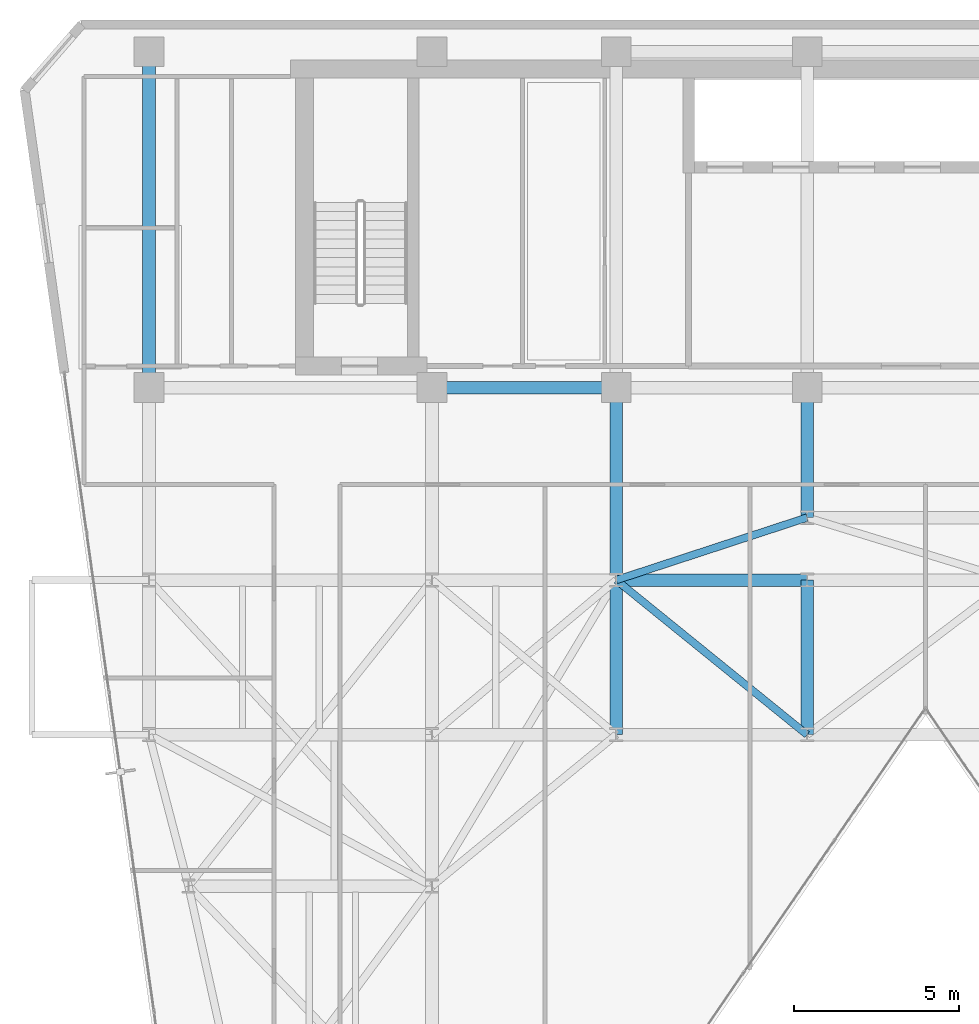
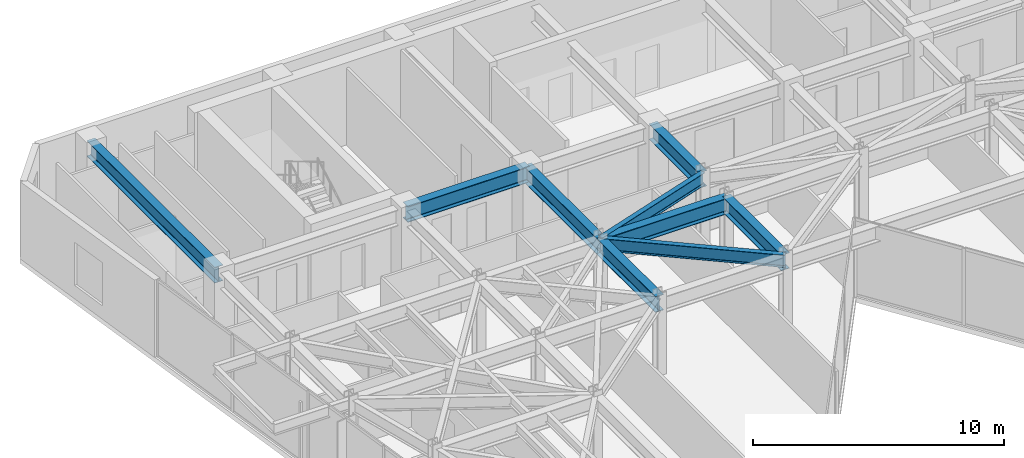
# One storey, part 13 of 27: 9 beams.
"""IFC4 building model written with IfcOpenShell, lengths in metres."""

from ifc_helpers import new_model, si_unit, direction, frame, origin, origin_2d, place, context, subcontext, project, spatial, i_section, extrude, material, material_profile, profile_set, type_object, element, save


model = new_model("IFC4")

# Units and contexts
model_context = context("Model", 3, precision=1e-05, world=origin(), true_north=direction((0.0, 1.0)))
body_context = subcontext(model_context, "Body", "Model", "MODEL_VIEW")
ifc_project = project(units=[si_unit("LENGTHUNIT", "METRE"), si_unit("AREAUNIT", "SQUARE_METRE"), si_unit("VOLUMEUNIT", "CUBIC_METRE"), si_unit("PLANEANGLEUNIT", "RADIAN"), si_unit("MASSUNIT", "GRAM", prefix="KILO")], contexts=[model_context])

# Site, building, storey
site_placement = place(None, origin())
site = spatial("IfcSite", under=ifc_project, at=site_placement, CompositionType="ELEMENT")
building_placement = place(site_placement, origin())
building = spatial("IfcBuilding", under=site, at=building_placement, Name="Kravanh Interchange Tower", CompositionType="ELEMENT")
storey_placement = place(building_placement, frame((0.0, 0.0, 188.5)))
storey = spatial("IfcBuildingStorey", under=building, at=storey_placement, Name="L45", CompositionType="ELEMENT", Elevation=188.5)

# Beams
ifc_material_1 = material(Name="Structural Steel S355", Category="steel")
ifc_material_profile_1 = material_profile(ifc_material_1, i_section(OverallWidth=0.381103515625, OverallDepth=0.77294921875, WebThickness=0.0166015625, FlangeThickness=0.027099609375, FilletRadius=0.02490234375, at=origin_2d()), Name="W30X173")
ifc_profile_set_1 = profile_set([ifc_material_profile_1], Name="Structural Steel S355")
beam_type_1 = type_object("IfcBeamType", Name="Floor Beam W30X173 Structural Steel S355", PredefinedType="BEAM", material=ifc_profile_set_1)
beam_1_placement = place(storey_placement, frame((38.60009765625, 37.35009765625, 3.368408203125), z_axis=(0.0, -1.0, 0.0), x_axis=(1.0, 0.0, 0.0)))
element("IfcBeam", 1, at=beam_1_placement, inside=storey, type_object=beam_type_1, Name="L45 Primary Floor Girder 16", PredefinedType="BEAM", context=body_context, shape_type="SweptSolid", body=[
    extrude(i_section(OverallWidth=0.381103515625, OverallDepth=0.77294921875, WebThickness=0.0166015625, FlangeThickness=0.027099609375, FilletRadius=0.02490234375, at=origin_2d()), origin(), (0.0, 0.0, 1.0), 3.9501953125),
])
beam_2_placement = place(storey_placement, frame((32.800048828125, 37.35009765625, 3.368408203125), z_axis=(-1.0, 0.0, 0.0), x_axis=(0.0, -1.0, 0.0)))
element("IfcBeam", 2, at=beam_2_placement, inside=storey, type_object=beam_type_1, Name="L45 Primary Floor Girder 20", PredefinedType="BEAM", context=body_context, shape_type="SweptSolid", body=[
    extrude(i_section(OverallWidth=0.381103515625, OverallDepth=0.77294921875, WebThickness=0.0166015625, FlangeThickness=0.027099609375, FilletRadius=0.02490234375, at=origin_2d()), origin(), (0.0, 0.0, 1.0), 5.60009765625),
])
beam_3_placement = place(storey_placement, frame((32.800048828125, 37.35009765625, 3.368408203125), z_axis=(0.0, -1.0, 0.0), x_axis=(1.0, 0.0, 0.0)))
element("IfcBeam", 3, at=beam_3_placement, inside=storey, type_object=beam_type_1, Name="L45 Primary Floor Girder 21", PredefinedType="BEAM", context=body_context, shape_type="SweptSolid", body=[
    extrude(i_section(OverallWidth=0.381103515625, OverallDepth=0.77294921875, WebThickness=0.0166015625, FlangeThickness=0.027099609375, FilletRadius=0.02490234375, at=origin_2d()), origin(), (0.0, 0.0, 1.0), 5.85009765625),
])
beam_4_placement = place(storey_placement, frame((18.60009765625, 37.35009765625, 3.368408203125), z_axis=(0.0, 1.0, 0.0), x_axis=(-1.0, 0.0, 0.0)))
element("IfcBeam", 4, at=beam_4_placement, inside=storey, type_object=beam_type_1, Name="L45 Primary Floor Girder 29", PredefinedType="BEAM", context=body_context, shape_type="SweptSolid", body=[
    extrude(i_section(OverallWidth=0.381103515625, OverallDepth=0.77294921875, WebThickness=0.0166015625, FlangeThickness=0.027099609375, FilletRadius=0.02490234375, at=origin_2d()), origin(), (0.0, 0.0, 1.0), 10.199951171875),
])
for number, where, z_axis, x_axis, name in (
    (5, (32.800048828125, 26.800048828125, 3.368408203125), (0.0, 1.0, 0.0), (-1.0, 0.0, 0.0), "L45 Primary Floor Girder 41"),
    (6, (38.60009765625, 26.800048828125, 3.368408203125), (0.0, 1.0, 0.0), (-1.0, 0.0, 0.0), "L45 Primary Floor Girder 45"),
):
    element("IfcBeam", number, at=place(storey_placement, frame(where, z_axis=z_axis, x_axis=x_axis)), inside=storey, type_object=beam_type_1, Name=name, PredefinedType="BEAM", context=body_context, shape_type="SweptSolid", body=[
        extrude(i_section(OverallWidth=0.381103515625, OverallDepth=0.77294921875, WebThickness=0.0166015625, FlangeThickness=0.027099609375, FilletRadius=0.02490234375, at=origin_2d()), origin(), (0.0, 0.0, 1.0), 4.699951171875),
    ])
beam_5_placement = place(storey_placement, frame((32.800048828125, 31.5, 3.368408203125), z_axis=(1.0, 0.0, 0.0), x_axis=(0.0, 1.0, 0.0)))
element("IfcBeam", 7, at=beam_5_placement, inside=storey, type_object=beam_type_1, Name="L45 Primary Floor Girder 67", PredefinedType="BEAM", context=body_context, shape_type="SweptSolid", body=[
    extrude(i_section(OverallWidth=0.381103515625, OverallDepth=0.77294921875, WebThickness=0.0166015625, FlangeThickness=0.027099609375, FilletRadius=0.02490234375, at=origin_2d()), origin(), (0.0, 0.0, 1.0), 5.800048828125),
])
ifc_material_2 = material(Name="Structural Steel S355", Category="steel")
ifc_material_profile_2 = material_profile(ifc_material_2, i_section(OverallWidth=0.22802734375, OverallDepth=0.60791015625, WebThickness=0.01123046875, FlangeThickness=0.017333984375, FilletRadius=0.02197265625, at=origin_2d()), Name="W24X76")
ifc_profile_set_2 = profile_set([ifc_material_profile_2], Name="Structural Steel S355")
beam_type_2 = type_object("IfcBeamType", Name="Floor Spandrel W24X76 Structural Steel S355", PredefinedType="SPANDREL", material=ifc_profile_set_2)
beam_6_placement = place(storey_placement, frame((38.60009765625, 26.800048828125, 3.450927734375), z_axis=(-0.776938619557, 0.629576350764, 0.0), x_axis=(-0.629576350764, -0.776938619557, 0.0)))
element("IfcBeam", 8, at=beam_6_placement, inside=storey, type_object=beam_type_2, Name="L45 Perimeter Spandrel 46", PredefinedType="SPANDREL", context=body_context, shape_type="SweptSolid", body=[
    extrude(i_section(OverallWidth=0.22802734375, OverallDepth=0.60791015625, WebThickness=0.01123046875, FlangeThickness=0.017333984375, FilletRadius=0.02197265625, at=origin_2d()), origin(), (0.0, 0.0, 1.0), 7.46533203125),
])
beam_7_placement = place(storey_placement, frame((32.800048828125, 31.5, 3.450927734375), z_axis=(0.950314536578, 0.31129131303, 0.0), x_axis=(-0.31129131303, 0.950314536578, 0.0)))
element("IfcBeam", 9, at=beam_7_placement, inside=storey, type_object=beam_type_2, Name="L45 Perimeter Spandrel 68", PredefinedType="SPANDREL", context=body_context, shape_type="SweptSolid", body=[
    extrude(i_section(OverallWidth=0.22802734375, OverallDepth=0.60791015625, WebThickness=0.01123046875, FlangeThickness=0.017333984375, FilletRadius=0.02197265625, at=origin_2d()), origin(), (0.0, 0.0, 1.0), 6.103271484375),
])

save(model, "model.ifc")
